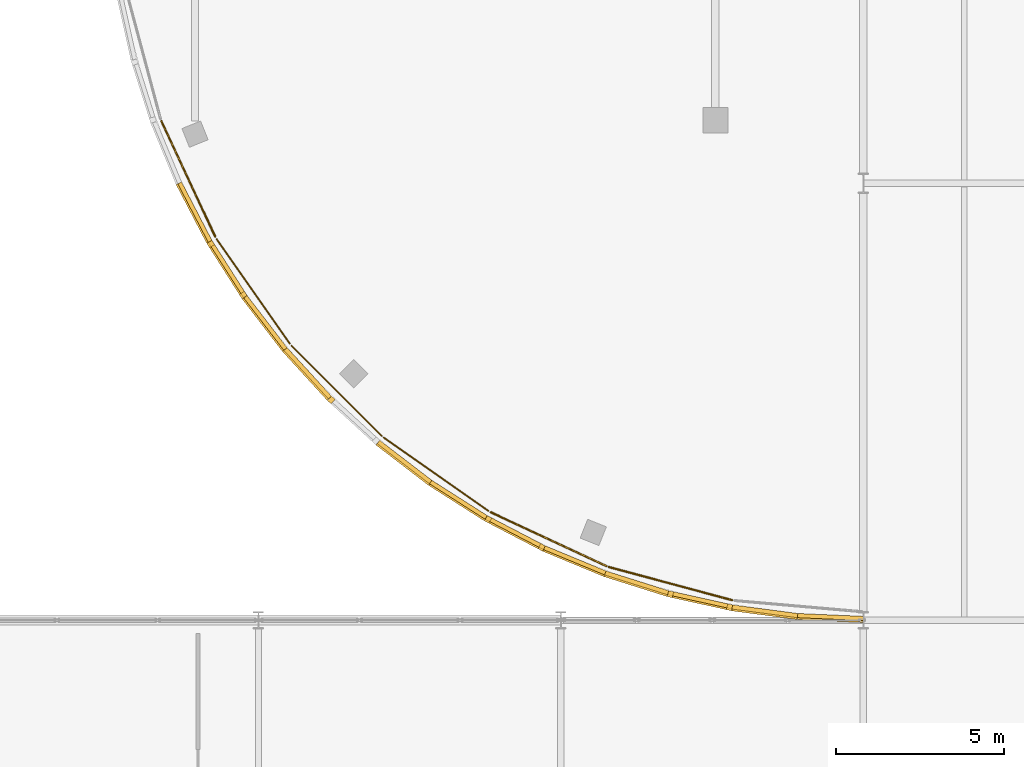
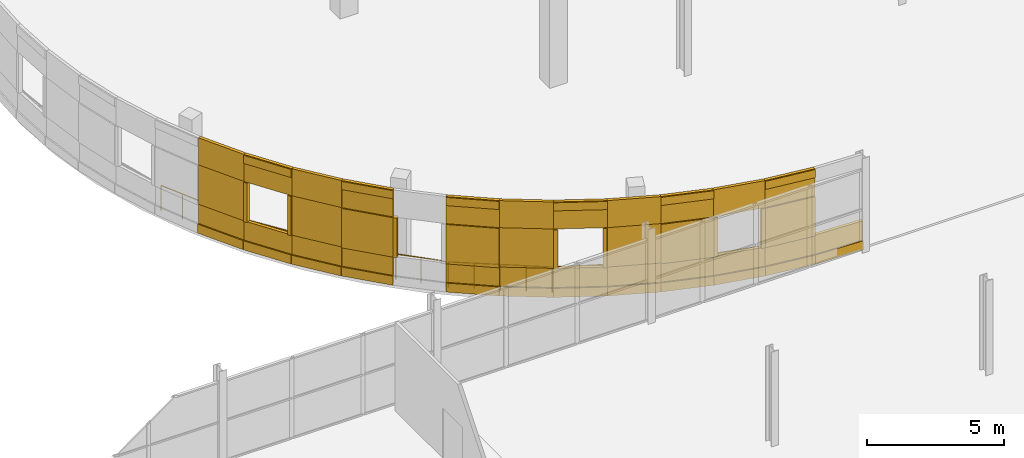
# One storey, part 120 of 132: 56 coverings, 6 railings.
"""IFC4 building model written with IfcOpenShell, lengths in metres."""

from ifc_helpers import new_model, si_unit, direction, frame, origin, origin_2d, place, context, subcontext, project, spatial, rectangle, circle, extrude, material, layer, layer_set, type_object, element, save


model = new_model("IFC4")

# Units and contexts
model_context = context("Model", 3, precision=1e-05, world=origin(), true_north=direction((0.0, 1.0)))
body_context = subcontext(model_context, "Body", "Model", "MODEL_VIEW")
ifc_project = project(units=[si_unit("LENGTHUNIT", "METRE"), si_unit("AREAUNIT", "SQUARE_METRE"), si_unit("VOLUMEUNIT", "CUBIC_METRE"), si_unit("PLANEANGLEUNIT", "RADIAN"), si_unit("MASSUNIT", "GRAM", prefix="KILO")], contexts=[model_context])

# Site, building, storey
site_placement = place(None, origin())
site = spatial("IfcSite", under=ifc_project, at=site_placement, CompositionType="ELEMENT")
building_placement = place(site_placement, origin())
building = spatial("IfcBuilding", under=site, at=building_placement, Name="Deido Ridge Mobility Hub", CompositionType="ELEMENT")
storey_placement = place(building_placement, frame((0.0, 0.0, 8.39990234375)))
storey = spatial("IfcBuildingStorey", under=building, at=storey_placement, Name="L02", CompositionType="ELEMENT", Elevation=8.39990234375)

# Coverings
ifc_material_1 = material(Name="Fired clay brick masonry", Category="masonry")
ifc_layer = layer(ifc_material_1, 0.114990234375, Name="Fired clay brick masonry")
ifc_layer_set = layer_set([ifc_layer], Name="Fired clay brick masonry")
covering_type = type_object("IfcCoveringType", Name="COV-BRK-SCREEN-115", PredefinedType="CLADDING", material=ifc_layer_set)
covering_1_placement = place(storey_placement, frame((25.107666015625, 93.144775390625, 0.0), z_axis=(0.0, 0.0, 1.0), x_axis=(0.461733131905, -0.887018892077, 0.0)))
element("IfcCovering", 1, at=covering_1_placement, inside=storey, type_object=covering_type, Name="Open brickwork spandrel course BKS1 (L02)", PredefinedType="CLADDING", context=body_context, shape_type="SweptSolid", body=[
    extrude(rectangle(XDim=1.9619140625, YDim=0.125, at=origin_2d()), origin(), (0.0, 0.0, 1.0), 1.25),
])
covering_2_placement = place(storey_placement, frame((25.083251953125, 93.132080078125, 0.000244140625), z_axis=(0.0, 0.0, 1.0), x_axis=(0.461733131905, -0.887018892077, 0.0)))
element("IfcCovering", 2, at=covering_2_placement, inside=storey, type_object=covering_type, Name="Raised brick relief belt BKS1 (L02)", PredefinedType="CLADDING", context=body_context, shape_type="SweptSolid", body=[
    extrude(rectangle(XDim=1.9619140625, YDim=0.179931640625, at=origin_2d()), origin(), (0.0, 0.0, 1.0), 0.39990234375),
])
covering_3_placement = place(storey_placement, frame((25.107666015625, 93.144775390625, 3.0), z_axis=(0.0, 0.0, 1.0), x_axis=(0.461733131905, -0.887018892077, 0.0)))
element("IfcCovering", 3, at=covering_3_placement, inside=storey, type_object=covering_type, Name="Open brickwork lintel course BKS1 (L02)", PredefinedType="CLADDING", context=body_context, shape_type="SweptSolid", body=[
    extrude(rectangle(XDim=1.9619140625, YDim=0.125, at=origin_2d()), origin(), (0.0, 0.0, 1.0), 1.199951171875),
])
covering_4_placement = place(storey_placement, frame((25.107666015625, 93.144775390625, 1.25), z_axis=(0.0, 0.0, 1.0), x_axis=(0.461733131905, -0.887018892077, 0.0)))
element("IfcCovering", 4, at=covering_4_placement, inside=storey, type_object=covering_type, Name="Curved raised brickwork pier BKS1 (L02)", PredefinedType="CLADDING", context=body_context, shape_type="SweptSolid", body=[
    extrude(rectangle(XDim=1.9619140625, YDim=0.125, at=origin_2d()), origin(), (0.0, 0.0, 1.0), 1.75),
])
covering_5_placement = place(storey_placement, frame((26.0859375, 91.450439453125, 0.0), z_axis=(0.0, 0.0, 1.0), x_axis=(0.537314328223, -0.843382068037, 0.0)))
element("IfcCovering", 5, at=covering_5_placement, inside=storey, type_object=covering_type, Name="Open brickwork spandrel course BKS1 (L02)", PredefinedType="CLADDING", context=body_context, shape_type="SweptSolid", body=[
    extrude(rectangle(XDim=1.9619140625, YDim=0.125, at=origin_2d()), origin(), (0.0, 0.0, 1.0), 1.25),
])
covering_6_placement = place(storey_placement, frame((26.062744140625, 91.435791015625, 0.000244140625), z_axis=(0.0, 0.0, 1.0), x_axis=(0.537314328223, -0.843382068037, 0.0)))
element("IfcCovering", 6, at=covering_6_placement, inside=storey, type_object=covering_type, Name="Raised brick relief belt BKS1 (L02)", PredefinedType="CLADDING", context=body_context, shape_type="SweptSolid", body=[
    extrude(rectangle(XDim=1.9619140625, YDim=0.179931640625, at=origin_2d()), origin(), (0.0, 0.0, 1.0), 0.39990234375),
])
covering_7_placement = place(storey_placement, frame((26.0859375, 91.450439453125, 3.0), z_axis=(0.0, 0.0, 1.0), x_axis=(0.537314328223, -0.843382068037, 0.0)))
element("IfcCovering", 7, at=covering_7_placement, inside=storey, type_object=covering_type, Name="Open brickwork lintel course BKS1 (L02)", PredefinedType="CLADDING", context=body_context, shape_type="SweptSolid", body=[
    extrude(rectangle(XDim=1.9619140625, YDim=0.125, at=origin_2d()), origin(), (0.0, 0.0, 1.0), 1.199951171875),
])
covering_8_placement = place(storey_placement, frame((26.062744140625, 91.435791015625, 3.83984375), z_axis=(0.0, 0.0, 1.0), x_axis=(0.537314328223, -0.843382068037, 0.0)))
element("IfcCovering", 8, at=covering_8_placement, inside=storey, type_object=covering_type, Name="Raised brick relief cornice BKS1 (L02)", PredefinedType="CLADDING", context=body_context, shape_type="SweptSolid", body=[
    extrude(rectangle(XDim=1.9619140625, YDim=0.179931640625, at=origin_2d()), origin(), (0.0, 0.0, 1.0), 0.360107421875),
])
for number, where, z_axis, x_axis, name in (
    (9, (25.57861328125, 92.195556640625, 1.25), (0.0, 0.0, 1.0), (0.537314328223, -0.843382068037, 0.0), "Curved brick jamb nib BKS1 (L02)"),
    (10, (26.546875, 90.67578125, 1.25), (0.0, 0.0, 1.0), (0.537314328223, -0.843382068037, 0.0), "Curved brick jamb nib BKS1 (L02)"),
):
    element("IfcCovering", number, at=place(storey_placement, frame(where, z_axis=z_axis, x_axis=x_axis)), inside=storey, type_object=covering_type, Name=name, PredefinedType="CLADDING", context=body_context, shape_type="SweptSolid", body=[
        extrude(rectangle(XDim=0.152099609375, YDim=0.179931640625, at=origin_2d()), origin(), (0.0, 0.0, 1.0), 1.75),
    ])
covering_9_placement = place(storey_placement, frame((27.2080078125, 89.847900390625, 0.0), z_axis=(0.0, 0.0, 1.0), x_axis=(0.608761429009, -0.793353340291, 0.0)))
element("IfcCovering", 11, at=covering_9_placement, inside=storey, type_object=covering_type, Name="Open brickwork spandrel course BKS1 (L02)", PredefinedType="CLADDING", context=body_context, shape_type="SweptSolid", body=[
    extrude(rectangle(XDim=1.9619140625, YDim=0.125, at=origin_2d()), origin(), (0.0, 0.0, 1.0), 1.25),
])
covering_10_placement = place(storey_placement, frame((27.186279296875, 89.8310546875, 0.000244140625), z_axis=(0.0, 0.0, 1.0), x_axis=(0.608761429009, -0.793353340291, 0.0)))
element("IfcCovering", 12, at=covering_10_placement, inside=storey, type_object=covering_type, Name="Raised brick relief belt BKS1 (L02)", PredefinedType="CLADDING", context=body_context, shape_type="SweptSolid", body=[
    extrude(rectangle(XDim=1.9619140625, YDim=0.179931640625, at=origin_2d()), origin(), (0.0, 0.0, 1.0), 0.39990234375),
])
covering_11_placement = place(storey_placement, frame((27.2080078125, 89.847900390625, 3.0), z_axis=(0.0, 0.0, 1.0), x_axis=(0.608761429009, -0.793353340291, 0.0)))
element("IfcCovering", 13, at=covering_11_placement, inside=storey, type_object=covering_type, Name="Open brickwork lintel course BKS1 (L02)", PredefinedType="CLADDING", context=body_context, shape_type="SweptSolid", body=[
    extrude(rectangle(XDim=1.9619140625, YDim=0.125, at=origin_2d()), origin(), (0.0, 0.0, 1.0), 1.199951171875),
])
covering_12_placement = place(storey_placement, frame((27.2080078125, 89.847900390625, 1.25), z_axis=(0.0, 0.0, 1.0), x_axis=(0.608761429009, -0.793353340291, 0.0)))
element("IfcCovering", 14, at=covering_12_placement, inside=storey, type_object=covering_type, Name="Curved raised brickwork pier BKS1 (L02)", PredefinedType="CLADDING", context=body_context, shape_type="SweptSolid", body=[
    extrude(rectangle(XDim=1.9619140625, YDim=0.125, at=origin_2d()), origin(), (0.0, 0.0, 1.0), 1.75),
])
covering_13_placement = place(storey_placement, frame((28.4658203125, 88.34912109375, 0.0), z_axis=(0.0, 0.0, 1.0), x_axis=(0.675577339596, -0.737289127971, 0.0)))
element("IfcCovering", 15, at=covering_13_placement, inside=storey, type_object=covering_type, Name="Open brickwork spandrel course BKS1 (L02)", PredefinedType="CLADDING", context=body_context, shape_type="SweptSolid", body=[
    extrude(rectangle(XDim=1.9619140625, YDim=0.125, at=origin_2d()), origin(), (0.0, 0.0, 1.0), 1.25),
])
covering_14_placement = place(storey_placement, frame((28.4453125, 88.33056640625, 0.000244140625), z_axis=(0.0, 0.0, 1.0), x_axis=(0.675577339596, -0.737289127971, 0.0)))
element("IfcCovering", 16, at=covering_14_placement, inside=storey, type_object=covering_type, Name="Raised brick relief belt BKS1 (L02)", PredefinedType="CLADDING", context=body_context, shape_type="SweptSolid", body=[
    extrude(rectangle(XDim=1.9619140625, YDim=0.179931640625, at=origin_2d()), origin(), (0.0, 0.0, 1.0), 0.39990234375),
])
covering_15_placement = place(storey_placement, frame((28.4658203125, 88.34912109375, 3.0), z_axis=(0.0, 0.0, 1.0), x_axis=(0.675577339596, -0.737289127971, 0.0)))
element("IfcCovering", 17, at=covering_15_placement, inside=storey, type_object=covering_type, Name="Open brickwork lintel course BKS1 (L02)", PredefinedType="CLADDING", context=body_context, shape_type="SweptSolid", body=[
    extrude(rectangle(XDim=1.9619140625, YDim=0.125, at=origin_2d()), origin(), (0.0, 0.0, 1.0), 1.199951171875),
])
covering_16_placement = place(storey_placement, frame((28.4453125, 88.33056640625, 3.83984375), z_axis=(0.0, 0.0, 1.0), x_axis=(0.675577339596, -0.737289127971, 0.0)))
element("IfcCovering", 18, at=covering_16_placement, inside=storey, type_object=covering_type, Name="Raised brick relief cornice BKS1 (L02)", PredefinedType="CLADDING", context=body_context, shape_type="SweptSolid", body=[
    extrude(rectangle(XDim=1.9619140625, YDim=0.179931640625, at=origin_2d()), origin(), (0.0, 0.0, 1.0), 0.360107421875),
])
covering_17_placement = place(storey_placement, frame((28.4453125, 88.33056640625, 1.25), z_axis=(0.0, 0.0, 1.0), x_axis=(0.675577339596, -0.737289127971, 0.0)))
element("IfcCovering", 19, at=covering_17_placement, inside=storey, type_object=covering_type, Name="Curved raised brickwork pier BKS1 (L02)", PredefinedType="CLADDING", context=body_context, shape_type="SweptSolid", body=[
    extrude(rectangle(XDim=1.9619140625, YDim=0.179931640625, at=origin_2d()), origin(), (0.0, 0.0, 1.0), 1.75),
])
covering_18_placement = place(storey_placement, frame((29.166259765625, 87.55419921875, 1.25), z_axis=(0.0, 0.0, 1.0), x_axis=(0.737289127971, -0.675577339596, 0.0)))
element("IfcCovering", 20, at=covering_18_placement, inside=storey, type_object=covering_type, Name="Curved brick jamb nib BKS1 (L02)", PredefinedType="CLADDING", context=body_context, shape_type="SweptSolid", body=[
    extrude(rectangle(XDim=0.152099609375, YDim=0.179931640625, at=origin_2d()), origin(), (0.0, 0.0, 1.0), 1.75),
])
covering_19_placement = place(storey_placement, frame((31.347900390625, 85.7080078125, 0.0), z_axis=(0.0, 0.0, 1.0), x_axis=(0.793353340291, -0.608761429009, 0.0)))
element("IfcCovering", 21, at=covering_19_placement, inside=storey, type_object=covering_type, Name="Open brickwork spandrel course BKS1 (L02)", PredefinedType="CLADDING", context=body_context, shape_type="SweptSolid", body=[
    extrude(rectangle(XDim=1.9619140625, YDim=0.125, at=origin_2d()), origin(), (0.0, 0.0, 1.0), 1.25),
])
covering_20_placement = place(storey_placement, frame((31.3310546875, 85.686279296875, 0.000244140625), z_axis=(0.0, 0.0, 1.0), x_axis=(0.793353340291, -0.608761429009, 0.0)))
element("IfcCovering", 22, at=covering_20_placement, inside=storey, type_object=covering_type, Name="Raised brick relief belt BKS1 (L02)", PredefinedType="CLADDING", context=body_context, shape_type="SweptSolid", body=[
    extrude(rectangle(XDim=1.9619140625, YDim=0.179931640625, at=origin_2d()), origin(), (0.0, 0.0, 1.0), 0.39990234375),
])
covering_21_placement = place(storey_placement, frame((31.347900390625, 85.7080078125, 3.0), z_axis=(0.0, 0.0, 1.0), x_axis=(0.793353340291, -0.608761429009, 0.0)))
element("IfcCovering", 23, at=covering_21_placement, inside=storey, type_object=covering_type, Name="Open brickwork lintel course BKS1 (L02)", PredefinedType="CLADDING", context=body_context, shape_type="SweptSolid", body=[
    extrude(rectangle(XDim=1.9619140625, YDim=0.125, at=origin_2d()), origin(), (0.0, 0.0, 1.0), 1.199951171875),
])
covering_22_placement = place(storey_placement, frame((31.3310546875, 85.686279296875, 3.83984375), z_axis=(0.0, 0.0, 1.0), x_axis=(0.793353340291, -0.608761429009, 0.0)))
element("IfcCovering", 24, at=covering_22_placement, inside=storey, type_object=covering_type, Name="Raised brick relief cornice BKS1 (L02)", PredefinedType="CLADDING", context=body_context, shape_type="SweptSolid", body=[
    extrude(rectangle(XDim=1.9619140625, YDim=0.179931640625, at=origin_2d()), origin(), (0.0, 0.0, 1.0), 0.360107421875),
])
covering_23_placement = place(storey_placement, frame((31.3310546875, 85.686279296875, 1.25), z_axis=(0.0, 0.0, 1.0), x_axis=(0.793353340291, -0.608761429009, 0.0)))
element("IfcCovering", 25, at=covering_23_placement, inside=storey, type_object=covering_type, Name="Curved raised brickwork pier BKS1 (L02)", PredefinedType="CLADDING", context=body_context, shape_type="SweptSolid", body=[
    extrude(rectangle(XDim=1.9619140625, YDim=0.179931640625, at=origin_2d()), origin(), (0.0, 0.0, 1.0), 1.75),
])
covering_24_placement = place(storey_placement, frame((32.950439453125, 84.5859375, 0.0), z_axis=(0.0, 0.0, 1.0), x_axis=(0.843382068037, -0.537314328223, 0.0)))
element("IfcCovering", 26, at=covering_24_placement, inside=storey, type_object=covering_type, Name="Open brickwork spandrel course BKS1 (L02)", PredefinedType="CLADDING", context=body_context, shape_type="SweptSolid", body=[
    extrude(rectangle(XDim=1.9619140625, YDim=0.125, at=origin_2d()), origin(), (0.0, 0.0, 1.0), 1.25),
])
covering_25_placement = place(storey_placement, frame((32.935791015625, 84.562744140625, 0.000244140625), z_axis=(0.0, 0.0, 1.0), x_axis=(0.843382068037, -0.537314328223, 0.0)))
element("IfcCovering", 27, at=covering_25_placement, inside=storey, type_object=covering_type, Name="Raised brick relief belt BKS1 (L02)", PredefinedType="CLADDING", context=body_context, shape_type="SweptSolid", body=[
    extrude(rectangle(XDim=1.9619140625, YDim=0.179931640625, at=origin_2d()), origin(), (0.0, 0.0, 1.0), 0.39990234375),
])
covering_26_placement = place(storey_placement, frame((32.950439453125, 84.5859375, 3.0), z_axis=(0.0, 0.0, 1.0), x_axis=(0.843382068037, -0.537314328223, 0.0)))
element("IfcCovering", 28, at=covering_26_placement, inside=storey, type_object=covering_type, Name="Open brickwork lintel course BKS1 (L02)", PredefinedType="CLADDING", context=body_context, shape_type="SweptSolid", body=[
    extrude(rectangle(XDim=1.9619140625, YDim=0.125, at=origin_2d()), origin(), (0.0, 0.0, 1.0), 1.199951171875),
])
covering_27_placement = place(storey_placement, frame((32.950439453125, 84.5859375, 1.25), z_axis=(0.0, 0.0, 1.0), x_axis=(0.843382068037, -0.537314328223, 0.0)))
element("IfcCovering", 29, at=covering_27_placement, inside=storey, type_object=covering_type, Name="Curved raised brickwork pier BKS1 (L02)", PredefinedType="CLADDING", context=body_context, shape_type="SweptSolid", body=[
    extrude(rectangle(XDim=1.9619140625, YDim=0.125, at=origin_2d()), origin(), (0.0, 0.0, 1.0), 1.75),
])
covering_28_placement = place(storey_placement, frame((34.644775390625, 83.607666015625, 0.0), z_axis=(0.0, 0.0, 1.0), x_axis=(0.887018892077, -0.461733131905, 0.0)))
element("IfcCovering", 30, at=covering_28_placement, inside=storey, type_object=covering_type, Name="Open brickwork spandrel course BKS1 (L02)", PredefinedType="CLADDING", context=body_context, shape_type="SweptSolid", body=[
    extrude(rectangle(XDim=1.9619140625, YDim=0.125, at=origin_2d()), origin(), (0.0, 0.0, 1.0), 1.25),
])
covering_29_placement = place(storey_placement, frame((34.632080078125, 83.583251953125, 0.000244140625), z_axis=(0.0, 0.0, 1.0), x_axis=(0.887018892077, -0.461733131905, 0.0)))
element("IfcCovering", 31, at=covering_29_placement, inside=storey, type_object=covering_type, Name="Raised brick relief belt BKS1 (L02)", PredefinedType="CLADDING", context=body_context, shape_type="SweptSolid", body=[
    extrude(rectangle(XDim=1.9619140625, YDim=0.179931640625, at=origin_2d()), origin(), (0.0, 0.0, 1.0), 0.39990234375),
])
covering_30_placement = place(storey_placement, frame((34.644775390625, 83.607666015625, 3.0), z_axis=(0.0, 0.0, 1.0), x_axis=(0.887018892077, -0.461733131905, 0.0)))
element("IfcCovering", 32, at=covering_30_placement, inside=storey, type_object=covering_type, Name="Open brickwork lintel course BKS1 (L02)", PredefinedType="CLADDING", context=body_context, shape_type="SweptSolid", body=[
    extrude(rectangle(XDim=1.9619140625, YDim=0.125, at=origin_2d()), origin(), (0.0, 0.0, 1.0), 1.199951171875),
])
covering_31_placement = place(storey_placement, frame((34.632080078125, 83.583251953125, 3.83984375), z_axis=(0.0, 0.0, 1.0), x_axis=(0.887018892077, -0.461733131905, 0.0)))
element("IfcCovering", 33, at=covering_31_placement, inside=storey, type_object=covering_type, Name="Raised brick relief cornice BKS1 (L02)", PredefinedType="CLADDING", context=body_context, shape_type="SweptSolid", body=[
    extrude(rectangle(XDim=1.9619140625, YDim=0.179931640625, at=origin_2d()), origin(), (0.0, 0.0, 1.0), 0.360107421875),
])
for number, where, z_axis, x_axis, name in (
    (34, (33.832763671875, 83.99951171875, 1.25), (0.0, 0.0, 1.0), (0.887018892077, -0.461733131905, 0.0), "Curved brick jamb nib BKS1 (L02)"),
    (35, (35.431396484375, 83.167236328125, 1.25), (0.0, 0.0, 1.0), (0.887018892077, -0.461733131905, 0.0), "Curved brick jamb nib BKS1 (L02)"),
):
    element("IfcCovering", number, at=place(storey_placement, frame(where, z_axis=z_axis, x_axis=x_axis)), inside=storey, type_object=covering_type, Name=name, PredefinedType="CLADDING", context=body_context, shape_type="SweptSolid", body=[
        extrude(rectangle(XDim=0.152099609375, YDim=0.179931640625, at=origin_2d()), origin(), (0.0, 0.0, 1.0), 1.75),
    ])
covering_32_placement = place(storey_placement, frame((36.41796875, 82.781005859375, 0.0), z_axis=(0.0, 0.0, 1.0), x_axis=(0.923872853285, -0.382699557047, 0.0)))
element("IfcCovering", 36, at=covering_32_placement, inside=storey, type_object=covering_type, Name="Open brickwork spandrel course BKS1 (L02)", PredefinedType="CLADDING", context=body_context, shape_type="SweptSolid", body=[
    extrude(rectangle(XDim=1.9619140625, YDim=0.125, at=origin_2d()), origin(), (0.0, 0.0, 1.0), 1.25),
])
covering_33_placement = place(storey_placement, frame((36.4072265625, 82.755615234375, 0.000244140625), z_axis=(0.0, 0.0, 1.0), x_axis=(0.923872853285, -0.382699557047, 0.0)))
element("IfcCovering", 37, at=covering_33_placement, inside=storey, type_object=covering_type, Name="Raised brick relief belt BKS1 (L02)", PredefinedType="CLADDING", context=body_context, shape_type="SweptSolid", body=[
    extrude(rectangle(XDim=1.9619140625, YDim=0.179931640625, at=origin_2d()), origin(), (0.0, 0.0, 1.0), 0.39990234375),
])
covering_34_placement = place(storey_placement, frame((36.41796875, 82.781005859375, 3.0), z_axis=(0.0, 0.0, 1.0), x_axis=(0.923872853285, -0.382699557047, 0.0)))
element("IfcCovering", 38, at=covering_34_placement, inside=storey, type_object=covering_type, Name="Open brickwork lintel course BKS1 (L02)", PredefinedType="CLADDING", context=body_context, shape_type="SweptSolid", body=[
    extrude(rectangle(XDim=1.9619140625, YDim=0.125, at=origin_2d()), origin(), (0.0, 0.0, 1.0), 1.199951171875),
])
covering_35_placement = place(storey_placement, frame((36.41796875, 82.781005859375, 1.25), z_axis=(0.0, 0.0, 1.0), x_axis=(0.923872853285, -0.382699557047, 0.0)))
element("IfcCovering", 39, at=covering_35_placement, inside=storey, type_object=covering_type, Name="Curved raised brickwork pier BKS1 (L02)", PredefinedType="CLADDING", context=body_context, shape_type="SweptSolid", body=[
    extrude(rectangle(XDim=1.9619140625, YDim=0.125, at=origin_2d()), origin(), (0.0, 0.0, 1.0), 1.75),
])
covering_36_placement = place(storey_placement, frame((38.25634765625, 82.11181640625, 0.0), z_axis=(0.0, 0.0, 1.0), x_axis=(0.95372744678, -0.300672508319, 0.0)))
element("IfcCovering", 40, at=covering_36_placement, inside=storey, type_object=covering_type, Name="Open brickwork spandrel course BKS1 (L02)", PredefinedType="CLADDING", context=body_context, shape_type="SweptSolid", body=[
    extrude(rectangle(XDim=1.9619140625, YDim=0.125, at=origin_2d()), origin(), (0.0, 0.0, 1.0), 1.25),
])
covering_37_placement = place(storey_placement, frame((38.248046875, 82.085693359375, 0.000244140625), z_axis=(0.0, 0.0, 1.0), x_axis=(0.95372744678, -0.300672508319, 0.0)))
element("IfcCovering", 41, at=covering_37_placement, inside=storey, type_object=covering_type, Name="Raised brick relief belt BKS1 (L02)", PredefinedType="CLADDING", context=body_context, shape_type="SweptSolid", body=[
    extrude(rectangle(XDim=1.9619140625, YDim=0.179931640625, at=origin_2d()), origin(), (0.0, 0.0, 1.0), 0.39990234375),
])
covering_38_placement = place(storey_placement, frame((38.25634765625, 82.11181640625, 3.0), z_axis=(0.0, 0.0, 1.0), x_axis=(0.95372744678, -0.300672508319, 0.0)))
element("IfcCovering", 42, at=covering_38_placement, inside=storey, type_object=covering_type, Name="Open brickwork lintel course BKS1 (L02)", PredefinedType="CLADDING", context=body_context, shape_type="SweptSolid", body=[
    extrude(rectangle(XDim=1.9619140625, YDim=0.125, at=origin_2d()), origin(), (0.0, 0.0, 1.0), 1.199951171875),
])
covering_39_placement = place(storey_placement, frame((38.248046875, 82.085693359375, 3.83984375), z_axis=(0.0, 0.0, 1.0), x_axis=(0.95372744678, -0.300672508319, 0.0)))
element("IfcCovering", 43, at=covering_39_placement, inside=storey, type_object=covering_type, Name="Raised brick relief cornice BKS1 (L02)", PredefinedType="CLADDING", context=body_context, shape_type="SweptSolid", body=[
    extrude(rectangle(XDim=1.9619140625, YDim=0.179931640625, at=origin_2d()), origin(), (0.0, 0.0, 1.0), 0.360107421875),
])
covering_40_placement = place(storey_placement, frame((38.248046875, 82.085693359375, 1.25), z_axis=(0.0, 0.0, 1.0), x_axis=(0.95372744678, -0.300672508319, 0.0)))
element("IfcCovering", 44, at=covering_40_placement, inside=storey, type_object=covering_type, Name="Curved raised brickwork pier BKS1 (L02)", PredefinedType="CLADDING", context=body_context, shape_type="SweptSolid", body=[
    extrude(rectangle(XDim=1.9619140625, YDim=0.179931640625, at=origin_2d()), origin(), (0.0, 0.0, 1.0), 1.75),
])
covering_41_placement = place(storey_placement, frame((40.14599609375, 81.60546875, 0.0), z_axis=(0.0, 0.0, 1.0), x_axis=(0.976292229387, -0.216456653485, 0.0)))
element("IfcCovering", 45, at=covering_41_placement, inside=storey, type_object=covering_type, Name="Open brickwork spandrel course BKS1 (L02)", PredefinedType="CLADDING", context=body_context, shape_type="SweptSolid", body=[
    extrude(rectangle(XDim=1.9619140625, YDim=0.125, at=origin_2d()), origin(), (0.0, 0.0, 1.0), 1.25),
])
covering_42_placement = place(storey_placement, frame((40.14013671875, 81.57861328125, 0.000244140625), z_axis=(0.0, 0.0, 1.0), x_axis=(0.976292229387, -0.216456653485, 0.0)))
element("IfcCovering", 46, at=covering_42_placement, inside=storey, type_object=covering_type, Name="Raised brick relief belt BKS1 (L02)", PredefinedType="CLADDING", context=body_context, shape_type="SweptSolid", body=[
    extrude(rectangle(XDim=1.9619140625, YDim=0.179931640625, at=origin_2d()), origin(), (0.0, 0.0, 1.0), 0.39990234375),
])
covering_43_placement = place(storey_placement, frame((40.14599609375, 81.60546875, 3.0), z_axis=(0.0, 0.0, 1.0), x_axis=(0.976292229387, -0.216456653485, 0.0)))
element("IfcCovering", 47, at=covering_43_placement, inside=storey, type_object=covering_type, Name="Open brickwork lintel course BKS1 (L02)", PredefinedType="CLADDING", context=body_context, shape_type="SweptSolid", body=[
    extrude(rectangle(XDim=1.9619140625, YDim=0.125, at=origin_2d()), origin(), (0.0, 0.0, 1.0), 1.199951171875),
])
for number, where, z_axis, x_axis, name in (
    (48, (39.260498046875, 81.773681640625, 1.25), (0.0, 0.0, 1.0), (0.976292229387, -0.216456653485, 0.0), "Curved brick jamb nib BKS1 (L02)"),
    (49, (41.019775390625, 81.383544921875, 1.25), (0.0, 0.0, 1.0), (0.976292229387, -0.216456653485, 0.0), "Curved brick jamb nib BKS1 (L02)"),
):
    element("IfcCovering", number, at=place(storey_placement, frame(where, z_axis=z_axis, x_axis=x_axis)), inside=storey, type_object=covering_type, Name=name, PredefinedType="CLADDING", context=body_context, shape_type="SweptSolid", body=[
        extrude(rectangle(XDim=0.152099609375, YDim=0.179931640625, at=origin_2d()), origin(), (0.0, 0.0, 1.0), 1.75),
    ])
covering_44_placement = place(storey_placement, frame((42.07275390625, 81.265625, 0.0), z_axis=(0.0, 0.0, 1.0), x_axis=(0.991442583111, -0.130543496177, 0.0)))
element("IfcCovering", 50, at=covering_44_placement, inside=storey, type_object=covering_type, Name="Open brickwork spandrel course BKS1 (L02)", PredefinedType="CLADDING", context=body_context, shape_type="SweptSolid", body=[
    extrude(rectangle(XDim=1.9619140625, YDim=0.125, at=origin_2d()), origin(), (0.0, 0.0, 1.0), 1.25),
])
covering_45_placement = place(storey_placement, frame((42.069091796875, 81.23828125, 0.000244140625), z_axis=(0.0, 0.0, 1.0), x_axis=(0.991442583111, -0.130543496177, 0.0)))
element("IfcCovering", 51, at=covering_45_placement, inside=storey, type_object=covering_type, Name="Raised brick relief belt BKS1 (L02)", PredefinedType="CLADDING", context=body_context, shape_type="SweptSolid", body=[
    extrude(rectangle(XDim=1.9619140625, YDim=0.179931640625, at=origin_2d()), origin(), (0.0, 0.0, 1.0), 0.39990234375),
])
covering_46_placement = place(storey_placement, frame((42.07275390625, 81.265625, 3.0), z_axis=(0.0, 0.0, 1.0), x_axis=(0.991442583111, -0.130543496177, 0.0)))
element("IfcCovering", 52, at=covering_46_placement, inside=storey, type_object=covering_type, Name="Open brickwork lintel course BKS1 (L02)", PredefinedType="CLADDING", context=body_context, shape_type="SweptSolid", body=[
    extrude(rectangle(XDim=1.9619140625, YDim=0.125, at=origin_2d()), origin(), (0.0, 0.0, 1.0), 1.199951171875),
])
covering_47_placement = place(storey_placement, frame((42.069091796875, 81.23828125, 3.83984375), z_axis=(0.0, 0.0, 1.0), x_axis=(0.991442583111, -0.130543496177, 0.0)))
element("IfcCovering", 53, at=covering_47_placement, inside=storey, type_object=covering_type, Name="Raised brick relief cornice BKS1 (L02)", PredefinedType="CLADDING", context=body_context, shape_type="SweptSolid", body=[
    extrude(rectangle(XDim=1.9619140625, YDim=0.179931640625, at=origin_2d()), origin(), (0.0, 0.0, 1.0), 0.360107421875),
])
covering_48_placement = place(storey_placement, frame((42.069091796875, 81.23828125, 1.25), z_axis=(0.0, 0.0, 1.0), x_axis=(0.991442583111, -0.130543496177, 0.0)))
element("IfcCovering", 54, at=covering_48_placement, inside=storey, type_object=covering_type, Name="Curved raised brickwork pier BKS1 (L02)", PredefinedType="CLADDING", context=body_context, shape_type="SweptSolid", body=[
    extrude(rectangle(XDim=1.9619140625, YDim=0.179931640625, at=origin_2d()), origin(), (0.0, 0.0, 1.0), 1.75),
])
covering_49_placement = place(storey_placement, frame((44.021728515625, 81.09521484375, 0.0), z_axis=(0.0, 0.0, 1.0), x_axis=(0.999048982732, -0.043601950678, 0.0)))
element("IfcCovering", 55, at=covering_49_placement, inside=storey, type_object=covering_type, Name="Open brickwork spandrel course BKS1 (L02)", PredefinedType="CLADDING", context=body_context, shape_type="SweptSolid", body=[
    extrude(rectangle(XDim=1.9619140625, YDim=0.125, at=origin_2d()), origin(), (0.0, 0.0, 1.0), 1.25),
])
covering_50_placement = place(storey_placement, frame((44.0205078125, 81.067626953125, 0.000244140625), z_axis=(0.0, 0.0, 1.0), x_axis=(0.999048982732, -0.043601950678, 0.0)))
element("IfcCovering", 56, at=covering_50_placement, inside=storey, type_object=covering_type, Name="Raised brick relief belt BKS1 (L02)", PredefinedType="CLADDING", context=body_context, shape_type="SweptSolid", body=[
    extrude(rectangle(XDim=1.9619140625, YDim=0.179931640625, at=origin_2d()), origin(), (0.0, 0.0, 1.0), 0.39990234375),
])

# Railings
ifc_material_2 = material(Name="Galvanised steel work", Category="steel")
railing_type = type_object("IfcRailingType", Name="RL-GRD-EXT-1150", PredefinedType="GUARDRAIL", material=ifc_material_2)
railing_1_placement = place(storey_placement, frame((24.108642578125, 95.853759765625, 0.0)))
element("IfcRailing", 57, at=railing_1_placement, inside=storey, type_object=railing_type, Name="Parking drum perimeter guard (L02)", PredefinedType="GUARDRAIL", context=body_context, shape_type="SweptSolid", body=[
    extrude(circle(Radius=0.02392578125, at=origin_2d()), frame((0.0, 0.0, 1.1259765625), z_axis=(0.422674330627, -0.906281639574, 0.0), x_axis=(0.906281639574, 0.422674330627, 0.0)), (0.0, 0.0, 1.0), 3.79833984375),
    extrude(circle(Radius=0.02099609375, at=origin_2d()), origin(), (0.0, 0.0, 1.0), 1.101806640625),
    extrude(circle(Radius=0.02099609375, at=origin_2d()), frame((0.4013671875, -0.860595703125, 0.0)), (0.0, 0.0, 1.0), 1.101806640625),
    extrude(circle(Radius=0.02099609375, at=origin_2d()), frame((0.802734375, -1.72119140625, 0.0)), (0.0, 0.0, 1.0), 1.101806640625),
    extrude(circle(Radius=0.02099609375, at=origin_2d()), frame((1.2041015625, -2.581787109375, 0.0)), (0.0, 0.0, 1.0), 1.101806640625),
    extrude(circle(Radius=0.02099609375, at=origin_2d()), frame((1.60546875, -3.4423828125, 0.0)), (0.0, 0.0, 1.0), 1.101806640625),
])
railing_2_placement = place(storey_placement, frame((25.75390625, 92.34228515625, 0.0)))
element("IfcRailing", 58, at=railing_2_placement, inside=storey, type_object=railing_type, Name="Parking drum perimeter guard (L02)", PredefinedType="GUARDRAIL", context=body_context, shape_type="SweptSolid", body=[
    extrude(circle(Radius=0.02392578125, at=origin_2d()), frame((0.0, 0.0, 1.1259765625), z_axis=(0.573570179609, -0.819156425271, 0.0), x_axis=(0.819156425271, 0.573570179609, 0.0)), (0.0, 0.0, 1.0), 3.798583984375),
    extrude(circle(Radius=0.02099609375, at=origin_2d()), origin(), (0.0, 0.0, 1.0), 1.101806640625),
    extrude(circle(Radius=0.02099609375, at=origin_2d()), frame((0.544677734375, -0.77783203125, 0.0)), (0.0, 0.0, 1.0), 1.101806640625),
    extrude(circle(Radius=0.02099609375, at=origin_2d()), frame((1.08935546875, -1.5556640625, 0.0)), (0.0, 0.0, 1.0), 1.101806640625),
    extrude(circle(Radius=0.02099609375, at=origin_2d()), frame((1.634033203125, -2.333740234375, 0.0)), (0.0, 0.0, 1.0), 1.101806640625),
    extrude(circle(Radius=0.02099609375, at=origin_2d()), frame((2.1787109375, -3.111572265625, 0.0)), (0.0, 0.0, 1.0), 1.101806640625),
])
railing_3_placement = place(storey_placement, frame((27.98388671875, 89.169677734375, 0.0)))
element("IfcRailing", 59, at=railing_3_placement, inside=storey, type_object=railing_type, Name="Parking drum perimeter guard (L02)", PredefinedType="GUARDRAIL", context=body_context, shape_type="SweptSolid", body=[
    extrude(circle(Radius=0.02392578125, at=origin_2d()), frame((0.0, 0.0, 1.1259765625), z_axis=(0.707106781187, -0.707106781187, 0.0), x_axis=(0.707106781187, 0.707106781187, 0.0)), (0.0, 0.0, 1.0), 3.79833984375),
    extrude(circle(Radius=0.02099609375, at=origin_2d()), origin(), (0.0, 0.0, 1.0), 1.101806640625),
    extrude(circle(Radius=0.02099609375, at=origin_2d()), frame((0.67138671875, -0.67138671875, 0.0)), (0.0, 0.0, 1.0), 1.101806640625),
    extrude(circle(Radius=0.02099609375, at=origin_2d()), frame((1.3427734375, -1.3427734375, 0.0)), (0.0, 0.0, 1.0), 1.101806640625),
    extrude(circle(Radius=0.02099609375, at=origin_2d()), frame((2.014404296875, -2.014404296875, 0.0)), (0.0, 0.0, 1.0), 1.101806640625),
    extrude(circle(Radius=0.02099609375, at=origin_2d()), frame((2.685791015625, -2.685791015625, 0.0)), (0.0, 0.0, 1.0), 1.101806640625),
])
railing_4_placement = place(storey_placement, frame((30.730712890625, 86.4326171875, 0.0)))
element("IfcRailing", 60, at=railing_4_placement, inside=storey, type_object=railing_type, Name="Parking drum perimeter guard (L02)", PredefinedType="GUARDRAIL", context=body_context, shape_type="SweptSolid", body=[
    extrude(circle(Radius=0.02392578125, at=origin_2d()), frame((0.0, 0.0, 1.1259765625), z_axis=(0.819156425271, -0.573570179609, 0.0), x_axis=(0.573570179609, 0.819156425271, 0.0)), (0.0, 0.0, 1.0), 3.798583984375),
    extrude(circle(Radius=0.02099609375, at=origin_2d()), origin(), (0.0, 0.0, 1.0), 1.101806640625),
    extrude(circle(Radius=0.02099609375, at=origin_2d()), frame((0.77783203125, -0.544677734375, 0.0)), (0.0, 0.0, 1.0), 1.101806640625),
    extrude(circle(Radius=0.02099609375, at=origin_2d()), frame((1.5556640625, -1.08935546875, 0.0)), (0.0, 0.0, 1.0), 1.101806640625),
    extrude(circle(Radius=0.02099609375, at=origin_2d()), frame((2.333740234375, -1.634033203125, 0.0)), (0.0, 0.0, 1.0), 1.101806640625),
    extrude(circle(Radius=0.02099609375, at=origin_2d()), frame((3.111572265625, -2.1787109375, 0.0)), (0.0, 0.0, 1.0), 1.101806640625),
])
railing_5_placement = place(storey_placement, frame((33.911376953125, 84.214111328125, 0.0)))
element("IfcRailing", 61, at=railing_5_placement, inside=storey, type_object=railing_type, Name="Parking drum perimeter guard (L02)", PredefinedType="GUARDRAIL", context=body_context, shape_type="SweptSolid", body=[
    extrude(circle(Radius=0.02392578125, at=origin_2d()), frame((0.0, 0.0, 1.1259765625), z_axis=(0.906281639574, -0.422674330627, 0.0), x_axis=(0.422674330627, 0.906281639574, 0.0)), (0.0, 0.0, 1.0), 3.79833984375),
    extrude(circle(Radius=0.02099609375, at=origin_2d()), origin(), (0.0, 0.0, 1.0), 1.101806640625),
    extrude(circle(Radius=0.02099609375, at=origin_2d()), frame((0.860595703125, -0.4013671875, 0.0)), (0.0, 0.0, 1.0), 1.101806640625),
    extrude(circle(Radius=0.02099609375, at=origin_2d()), frame((1.72119140625, -0.802734375, 0.0)), (0.0, 0.0, 1.0), 1.101806640625),
    extrude(circle(Radius=0.02099609375, at=origin_2d()), frame((2.581787109375, -1.2041015625, 0.0)), (0.0, 0.0, 1.0), 1.101806640625),
    extrude(circle(Radius=0.02099609375, at=origin_2d()), frame((3.4423828125, -1.60546875, 0.0)), (0.0, 0.0, 1.0), 1.101806640625),
])
railing_6_placement = place(storey_placement, frame((37.4287109375, 82.581298828125, 0.0)))
element("IfcRailing", 62, at=railing_6_placement, inside=storey, type_object=railing_type, Name="Parking drum perimeter guard (L02)", PredefinedType="GUARDRAIL", context=body_context, shape_type="SweptSolid", body=[
    extrude(circle(Radius=0.02392578125, at=origin_2d()), frame((0.0, 0.0, 1.1259765625), z_axis=(0.965937723757, -0.258774639064, 0.0), x_axis=(0.258774639064, 0.965937723757, 0.0)), (0.0, 0.0, 1.0), 3.79833984375),
    extrude(circle(Radius=0.02099609375, at=origin_2d()), origin(), (0.0, 0.0, 1.0), 1.101806640625),
    extrude(circle(Radius=0.02099609375, at=origin_2d()), frame((0.917236328125, -0.24560546875, 0.0)), (0.0, 0.0, 1.0), 1.101806640625),
    extrude(circle(Radius=0.02099609375, at=origin_2d()), frame((1.83447265625, -0.491455078125, 0.0)), (0.0, 0.0, 1.0), 1.101806640625),
    extrude(circle(Radius=0.02099609375, at=origin_2d()), frame((2.751708984375, -0.7373046875, 0.0)), (0.0, 0.0, 1.0), 1.101806640625),
    extrude(circle(Radius=0.02099609375, at=origin_2d()), frame((3.6689453125, -0.98291015625, 0.0)), (0.0, 0.0, 1.0), 1.101806640625),
])

save(model, "model.ifc")
